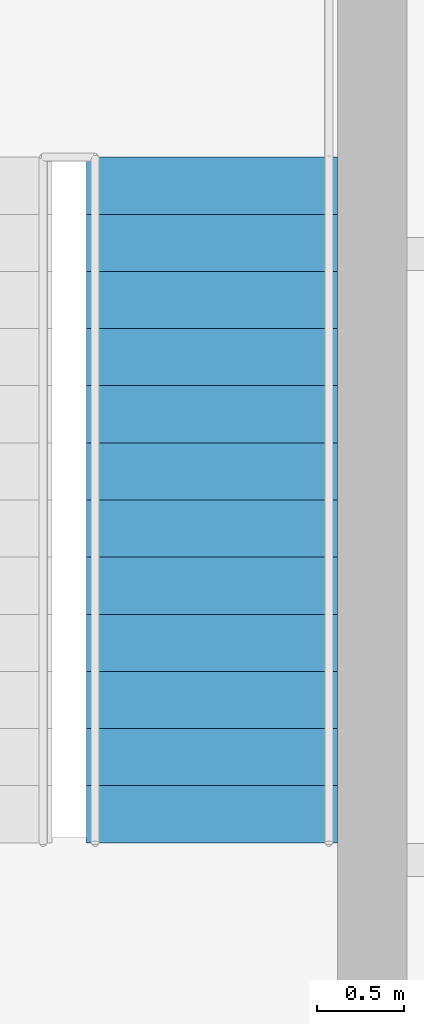
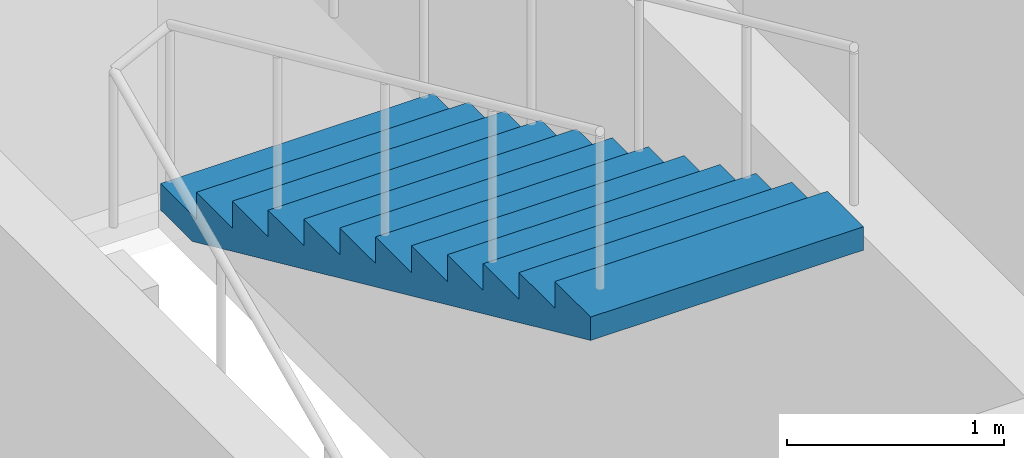
# One storey, part 9 of 10: 1 stair flight, 1 element without a shape of its own.
"""IFC4 building model written with IfcOpenShell, lengths in metres."""

from ifc_helpers import new_model, si_unit, direction, frame, origin, place, context, subcontext, project, spatial, polygons, material, type_object, element, aggregate, save


model = new_model("IFC4")

# Units and contexts
model_context = context("Model", 3, precision=1e-05, world=origin(), true_north=direction((0.0, 1.0)))
body_context = subcontext(model_context, "Body", "Model", "MODEL_VIEW")
ifc_project = project(units=[si_unit("LENGTHUNIT", "METRE"), si_unit("AREAUNIT", "SQUARE_METRE"), si_unit("VOLUMEUNIT", "CUBIC_METRE"), si_unit("PLANEANGLEUNIT", "RADIAN"), si_unit("MASSUNIT", "GRAM", prefix="KILO")], contexts=[model_context])

# Site, building, storey
site_placement = place(None, origin())
site = spatial("IfcSite", under=ifc_project, at=site_placement, CompositionType="ELEMENT")
building_placement = place(site_placement, origin())
building = spatial("IfcBuilding", under=site, at=building_placement, Name="Njiva Tower", CompositionType="ELEMENT")
storey_placement = place(building_placement, frame((0.0, 0.0, 288.3)))
storey = spatial("IfcBuildingStorey", under=building, at=storey_placement, Name="L66", CompositionType="ELEMENT", Elevation=288.3)

# Stair, stair flight
ifc_material = material(Name="Concrete C40/50", Category="concrete")
stair_type = type_object("IfcStairType", Name="ST3 Exit stair 1450", PredefinedType="HALF_TURN_STAIR", material=ifc_material)
stair_placement = place(storey_placement, origin())
stair = element("IfcStair", 1, at=stair_placement, inside=storey, type_object=stair_type, Name="Stair B", PredefinedType="HALF_TURN_STAIR")
stair_flight_type = type_object("IfcStairFlightType", Name="FL3 Stair flight 1450", PredefinedType="STRAIGHT", material=ifc_material)
stair_flight_placement = place(storey_placement, frame((13.375, 15.06, 1.95), z_axis=(0.0, 0.0, 1.0), x_axis=(0.0, -1.0, 0.0)))
stair_flight = element("IfcStairFlight", 2, at=stair_flight_placement, type_object=stair_flight_type, Name="ST-B flight 2", NumberOfRisers=13, NumberOfTreads=12, PredefinedType="STRAIGHT", RiserHeight=0.15, TreadLength=0.33, context=body_context, shape_type="Tessellation", body=[
    polygons([(0.0, 0.725, 0.0), (0.0, 0.3625, 0.0), (0.0, 0.0, 0.0), (0.0, -0.3625, 0.0), (0.0, -0.725, 0.0), (0.0, 0.725, 0.15), (0.0, 0.3625, 0.15), (0.0, 0.0, 0.15), (0.0, -0.3625, 0.15), (0.0, -0.725, 0.15), (0.33, 0.725, 0.15), (0.33, 0.3625, 0.15), (0.33, 0.0, 0.15), (0.33, -0.3625, 0.15), (0.33, -0.725, 0.15), (0.33, 0.725, 0.3), (0.33, 0.3625, 0.3), (0.33, 0.0, 0.3), (0.33, -0.3625, 0.3), (0.33, -0.725, 0.3), (0.66, 0.725, 0.3), (0.66, 0.3625, 0.3), (0.66, 0.0, 0.3), (0.66, -0.3625, 0.3), (0.66, -0.725, 0.3), (0.66, 0.725, 0.45), (0.66, 0.3625, 0.45), (0.66, 0.0, 0.45), (0.66, -0.3625, 0.45), (0.66, -0.725, 0.45), (0.99, 0.725, 0.45), (0.99, 0.3625, 0.45), (0.99, 0.0, 0.45), (0.99, -0.3625, 0.45), (0.99, -0.725, 0.45), (0.99, 0.725, 0.6), (0.99, 0.3625, 0.6), (0.99, 0.0, 0.6), (0.99, -0.3625, 0.6), (0.99, -0.725, 0.6), (1.32, 0.725, 0.6), (1.32, 0.3625, 0.6), (1.32, 0.0, 0.6), (1.32, -0.3625, 0.6), (1.32, -0.725, 0.6), (1.32, 0.725, 0.75), (1.32, 0.3625, 0.75), (1.32, 0.0, 0.75), (1.32, -0.3625, 0.75), (1.32, -0.725, 0.75), (1.65, 0.725, 0.75), (1.65, 0.3625, 0.75), (1.65, 0.0, 0.75), (1.65, -0.3625, 0.75), (1.65, -0.725, 0.75), (1.65, 0.725, 0.9), (1.65, 0.3625, 0.9), (1.65, 0.0, 0.9), (1.65, -0.3625, 0.9), (1.65, -0.725, 0.9), (1.98, 0.725, 0.9), (1.98, 0.3625, 0.9), (1.98, 0.0, 0.9), (1.98, -0.3625, 0.9), (1.98, -0.725, 0.9), (1.98, 0.725, 1.05), (1.98, 0.3625, 1.05), (1.98, 0.0, 1.05), (1.98, -0.3625, 1.05), (1.98, -0.725, 1.05), (2.31, 0.725, 1.05), (2.31, 0.3625, 1.05), (2.31, 0.0, 1.05), (2.31, -0.3625, 1.05), (2.31, -0.725, 1.05), (2.31, 0.725, 1.2), (2.31, 0.3625, 1.2), (2.31, 0.0, 1.2), (2.31, -0.3625, 1.2), (2.31, -0.725, 1.2), (2.64, 0.725, 1.2), (2.64, 0.3625, 1.2), (2.64, 0.0, 1.2), (2.64, -0.3625, 1.2), (2.64, -0.725, 1.2), (2.64, 0.725, 1.35), (2.64, 0.3625, 1.35), (2.64, 0.0, 1.35), (2.64, -0.3625, 1.35), (2.64, -0.725, 1.35), (2.97, 0.725, 1.35), (2.97, 0.3625, 1.35), (2.97, 0.0, 1.35), (2.97, -0.3625, 1.35), (2.97, -0.725, 1.35), (2.97, 0.725, 1.5), (2.97, 0.3625, 1.5), (2.97, 0.0, 1.5), (2.97, -0.3625, 1.5), (2.97, -0.725, 1.5), (3.3, 0.725, 1.5), (3.3, 0.3625, 1.5), (3.3, 0.0, 1.5), (3.3, -0.3625, 1.5), (3.3, -0.725, 1.5), (3.3, 0.725, 1.65), (3.3, 0.3625, 1.65), (3.3, 0.0, 1.65), (3.3, -0.3625, 1.65), (3.3, -0.725, 1.65), (3.63, 0.725, 1.65), (3.63, 0.3625, 1.65), (3.63, 0.0, 1.65), (3.63, -0.3625, 1.65), (3.63, -0.725, 1.65), (3.63, 0.725, 1.8), (3.63, 0.3625, 1.8), (3.63, 0.0, 1.8), (3.63, -0.3625, 1.8), (3.63, -0.725, 1.8), (3.96, 0.725, 1.8), (3.96, 0.3625, 1.8), (3.96, 0.0, 1.8), (3.96, -0.3625, 1.8), (3.96, -0.725, 1.8), (3.96, 0.725, 1.6682), (3.96, 0.3625, 1.6682), (3.96, 0.0, 1.6682), (3.96, -0.3625, 1.6682), (3.96, -0.725, 1.6682), (0.29, 0.725, 0.0), (0.29, 0.3625, 0.0), (0.29, 0.0, 0.0), (0.29, -0.3625, 0.0), (0.29, -0.725, 0.0)], [[[1, 6, 11, 16, 21, 26, 31, 36, 41, 46, 51, 56, 61, 66, 71, 76, 81, 86, 91, 96, 101, 106, 111, 116, 121, 126, 131]], [[135, 130, 125, 120, 115, 110, 105, 100, 95, 90, 85, 80, 75, 70, 65, 60, 55, 50, 45, 40, 35, 30, 25, 20, 15, 10, 5]], [[6, 1, 2, 7]], [[7, 2, 3, 8]], [[8, 3, 4, 9]], [[9, 4, 5, 10]], [[11, 6, 7, 12]], [[12, 7, 8, 13]], [[13, 8, 9, 14]], [[14, 9, 10, 15]], [[16, 11, 12, 17]], [[17, 12, 13, 18]], [[18, 13, 14, 19]], [[19, 14, 15, 20]], [[21, 16, 17, 22]], [[22, 17, 18, 23]], [[23, 18, 19, 24]], [[24, 19, 20, 25]], [[26, 21, 22, 27]], [[27, 22, 23, 28]], [[28, 23, 24, 29]], [[29, 24, 25, 30]], [[31, 26, 27, 32]], [[32, 27, 28, 33]], [[33, 28, 29, 34]], [[34, 29, 30, 35]], [[36, 31, 32, 37]], [[37, 32, 33, 38]], [[38, 33, 34, 39]], [[39, 34, 35, 40]], [[41, 36, 37, 42]], [[42, 37, 38, 43]], [[43, 38, 39, 44]], [[44, 39, 40, 45]], [[46, 41, 42, 47]], [[47, 42, 43, 48]], [[48, 43, 44, 49]], [[49, 44, 45, 50]], [[51, 46, 47, 52]], [[52, 47, 48, 53]], [[53, 48, 49, 54]], [[54, 49, 50, 55]], [[56, 51, 52, 57]], [[57, 52, 53, 58]], [[58, 53, 54, 59]], [[59, 54, 55, 60]], [[61, 56, 57, 62]], [[62, 57, 58, 63]], [[63, 58, 59, 64]], [[64, 59, 60, 65]], [[66, 61, 62, 67]], [[67, 62, 63, 68]], [[68, 63, 64, 69]], [[69, 64, 65, 70]], [[71, 66, 67, 72]], [[72, 67, 68, 73]], [[73, 68, 69, 74]], [[74, 69, 70, 75]], [[76, 71, 72, 77]], [[77, 72, 73, 78]], [[78, 73, 74, 79]], [[79, 74, 75, 80]], [[81, 76, 77, 82]], [[82, 77, 78, 83]], [[83, 78, 79, 84]], [[84, 79, 80, 85]], [[86, 81, 82, 87]], [[87, 82, 83, 88]], [[88, 83, 84, 89]], [[89, 84, 85, 90]], [[91, 86, 87, 92]], [[92, 87, 88, 93]], [[93, 88, 89, 94]], [[94, 89, 90, 95]], [[96, 91, 92, 97]], [[97, 92, 93, 98]], [[98, 93, 94, 99]], [[99, 94, 95, 100]], [[101, 96, 97, 102]], [[102, 97, 98, 103]], [[103, 98, 99, 104]], [[104, 99, 100, 105]], [[106, 101, 102, 107]], [[107, 102, 103, 108]], [[108, 103, 104, 109]], [[109, 104, 105, 110]], [[111, 106, 107, 112]], [[112, 107, 108, 113]], [[113, 108, 109, 114]], [[114, 109, 110, 115]], [[116, 111, 112, 117]], [[117, 112, 113, 118]], [[118, 113, 114, 119]], [[119, 114, 115, 120]], [[121, 116, 117, 122]], [[122, 117, 118, 123]], [[123, 118, 119, 124]], [[124, 119, 120, 125]], [[126, 121, 122, 127]], [[127, 122, 123, 128]], [[128, 123, 124, 129]], [[129, 124, 125, 130]], [[131, 126, 127, 132]], [[132, 127, 128, 133]], [[133, 128, 129, 134]], [[134, 129, 130, 135]], [[1, 131, 132, 2]], [[2, 132, 133, 3]], [[3, 133, 134, 4]], [[4, 134, 135, 5]]], closed=True),
])
aggregate(stair, [stair_flight])

save(model, "model.ifc")
